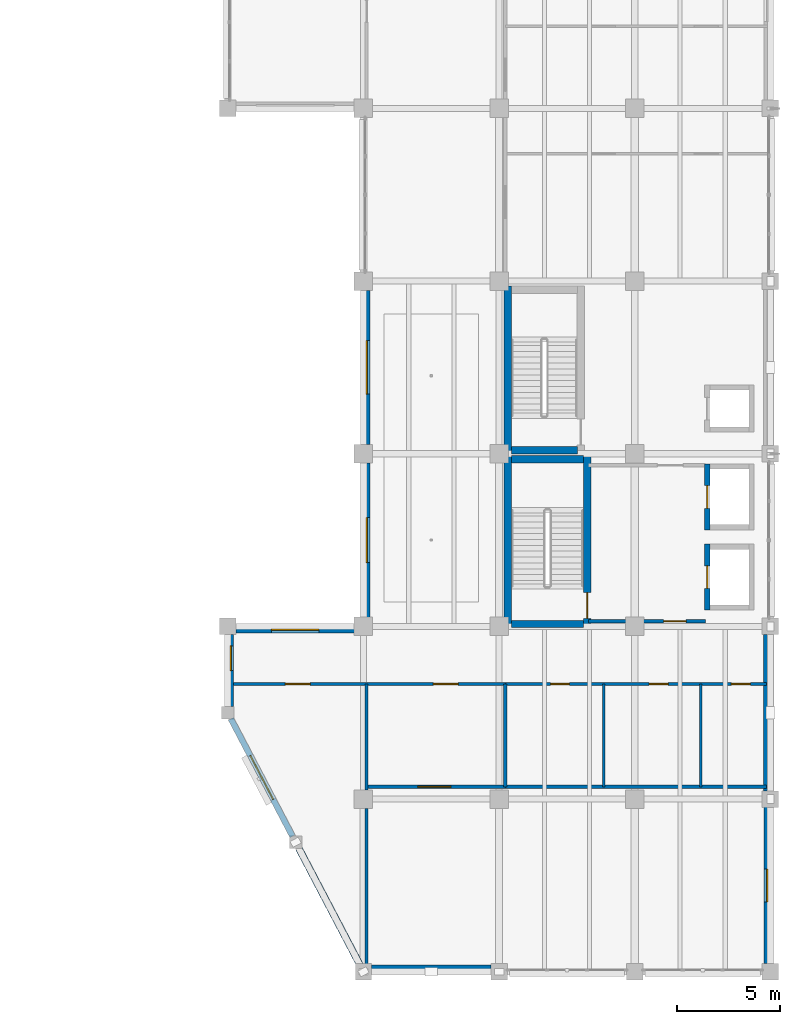
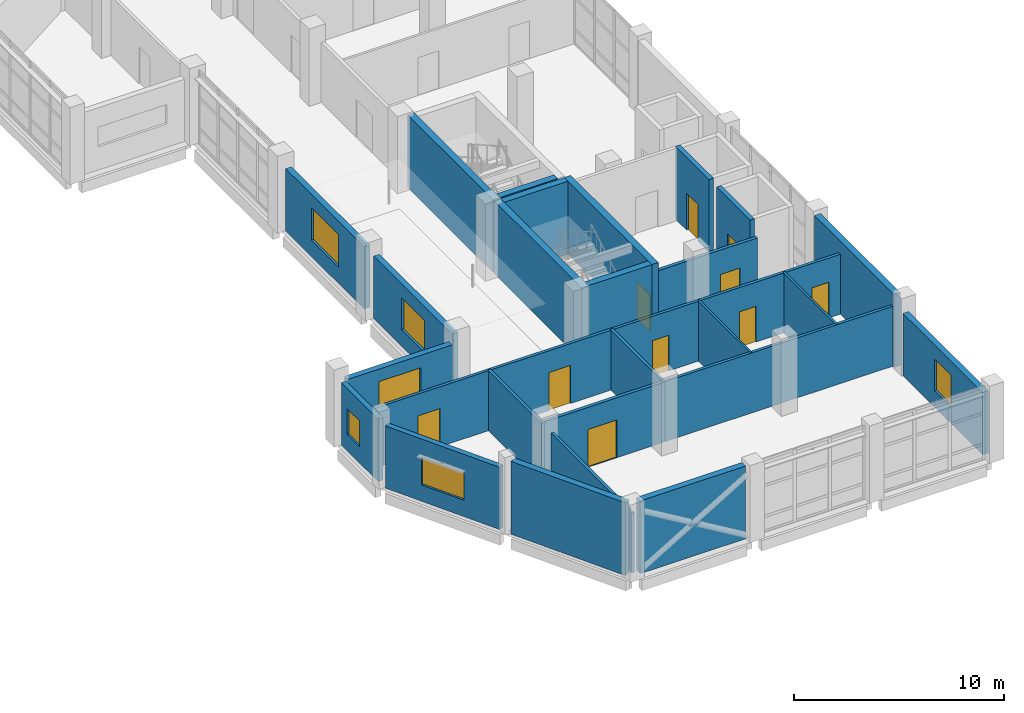
# One storey, part 51 of 76: 27 walls, 10 doors, 6 windows, 16 openings.
"""IFC4 building model written with IfcOpenShell, lengths in metres."""

from ifc_helpers import new_model, si_unit, direction, frame, frame_2d, origin, place, context, subcontext, project, spatial, rectangle, extrude, material, layer, layer_set, type_object, element, fill, save


model = new_model("IFC4")

# Units and contexts
model_context = context("Model", 3, precision=1e-05, world=origin(), true_north=direction((0.0, 1.0)))
body_context = subcontext(model_context, "Body", "Model", "MODEL_VIEW")
ifc_project = project(units=[si_unit("LENGTHUNIT", "METRE"), si_unit("AREAUNIT", "SQUARE_METRE"), si_unit("VOLUMEUNIT", "CUBIC_METRE"), si_unit("PLANEANGLEUNIT", "RADIAN"), si_unit("MASSUNIT", "GRAM", prefix="KILO")], contexts=[model_context])

# Site, building, storey
site_placement = place(None, origin())
site = spatial("IfcSite", under=ifc_project, at=site_placement, CompositionType="ELEMENT")
building_placement = place(site_placement, origin())
building = spatial("IfcBuilding", under=site, at=building_placement, Name="Qaldarim Faculty of Natural and Applied Sciences", CompositionType="ELEMENT")
storey_placement = place(building_placement, frame((0.0, 0.0, 9.89990234375)))
storey = spatial("IfcBuildingStorey", under=building, at=storey_placement, Name="L02", CompositionType="ELEMENT", Elevation=9.89990234375)

# Walls
ifc_material_1 = material(Name="Painted gypsum partition board")
ifc_layer_1 = layer(ifc_material_1, 0.1201171875)
ifc_layer_set_1 = layer_set([ifc_layer_1], Name="Painted gypsum partition board")
wall_type_1 = type_object("IfcWallType", Name="AcousticPartition-120", PredefinedType="PARTITIONING", material=ifc_layer_set_1)
for number, where, z_axis, x_axis, name in (
    (1, (170.10009765625, 9.0, 0.0), (0.0, 0.0, 1.0), (0.0, 1.0, 0.0), "Interior partition PRT-L02-V5-WCD1"),
    (2, (174.800048828125, 9.0, 0.0), (0.0, 0.0, 1.0), (0.0, 1.0, 0.0), "Interior partition PRT-L02-V5-WCD2"),
):
    element("IfcWall", number, at=place(storey_placement, frame(where, z_axis=z_axis, x_axis=x_axis)), inside=storey, type_object=wall_type_1, Name=name, PredefinedType="PARTITIONING", context=body_context, shape_type="SweptSolid", body=[
        extrude(rectangle(XDim=5.0, YDim=0.1201171875, at=frame_2d((2.5, 0.0))), origin(), (0.0, 0.0, 1.0), 3.489990234375),
    ])
ifc_material_2 = material(Name="Concrete C50/60", Category="concrete")
ifc_layer_2 = layer(ifc_material_2, 0.360107421875)
ifc_layer_set_2 = layer_set([ifc_layer_2], Name="Concrete C50/60")
wall_type_2 = type_object("IfcWallType", Name="CoreShearWall-360", PredefinedType="SHEAR", material=ifc_layer_set_2)
wall_1_placement = place(storey_placement, frame((165.419921875, 16.739990234375, 0.0), z_axis=(0.0, 0.0, 1.0), x_axis=(0.0, 1.0, 0.0)))
element("IfcWall", 3, at=wall_1_placement, inside=storey, type_object=wall_type_2, Name="Core stair ST-A1 west shear wall L02", PredefinedType="SHEAR", context=body_context, shape_type="SweptSolid", body=[
    extrude(rectangle(XDim=8.3701171875, YDim=0.360107421875, at=frame_2d((4.18505859375, 0.0))), origin(), (0.0, 0.0, 1.0), 4.239990234375),
])

# Wall, opening, door
wall_2_placement = place(storey_placement, frame((169.280029296875, 16.739990234375, 0.0), z_axis=(0.0, 0.0, 1.0), x_axis=(0.0, 1.0, 0.0)))
wall_2 = element("IfcWall", 4, at=wall_2_placement, inside=storey, type_object=wall_type_2, Name="Core stair ST-A1 east shear wall L02", PredefinedType="SHEAR", context=body_context, shape_type="SweptSolid", body=[
    extrude(rectangle(XDim=8.3701171875, YDim=0.360107421875, at=frame_2d((4.18505859375, 0.0))), origin(), (0.0, 0.0, 1.0), 4.239990234375),
])
opening_1_placement = place(wall_2_placement, frame((0.449951171875, 0.0, 0.0)))
opening_1 = element("IfcOpeningElement", 5, at=opening_1_placement, cuts=wall_2, Name="Opening ID04", PredefinedType="OPENING", context=body_context, shape_type="SweptSolid", body=[
    extrude(rectangle(XDim=1.25, YDim=2.14990234375, at=frame_2d((0.625, 1.074951171875))), frame((0.0, 0.18994140625, 0.0), z_axis=(0.0, -1.0, 0.0), x_axis=(1.0, 0.0, 0.0)), (0.0, 0.0, 1.0), 0.380126953125),
])
ifc_material_3 = material(Name="Architectural stainless steel 316", Category="steel")
door_type_1 = type_object("IfcDoorType", Name="StairEnclosureFireDoor-1250x2150", OperationType="NOTDEFINED", PredefinedType="DOOR", material=ifc_material_3)
door_1_placement = place(opening_1_placement, origin())
door_1 = element("IfcDoor", 6, at=door_1_placement, inside=storey, type_object=door_type_1, Name="Protected stair ST-A1 fire door D-L02-504", OperationType="SINGLE_SWING_RIGHT", OverallHeight=2.14990234375, OverallWidth=1.25, PredefinedType="DOOR", context=body_context, shape_type="SweptSolid", body=[
    extrude(rectangle(XDim=1.25, YDim=2.14990234375, at=frame_2d((0.625, 1.074951171875))), frame((0.0, 0.02490234375, 0.0), z_axis=(0.0, -1.0, 0.0), x_axis=(1.0, 0.0, 0.0)), (0.0, 0.0, 1.0), 0.050048828125),
])
fill(opening_1, door_1)

# Walls
for number, where, z_axis, x_axis, name in (
    (7, (165.60009765625, 24.929931640625, 0.0), (0.0, 0.0, 1.0), (1.0, 0.0, 0.0), "Core stair ST-A1 north shear wall L02"),
    (8, (165.60009765625, 16.919921875, 0.0), (0.0, 0.0, 1.0), (1.0, 0.0, 0.0), "Core stair ST-A1 south shear wall L02"),
):
    element("IfcWall", number, at=place(storey_placement, frame(where, z_axis=z_axis, x_axis=x_axis)), inside=storey, type_object=wall_type_2, Name=name, PredefinedType="SHEAR", context=body_context, shape_type="SweptSolid", body=[
        extrude(rectangle(XDim=3.5, YDim=0.360107421875, at=frame_2d((1.75, 0.0))), origin(), (0.0, 0.0, 1.0), 4.239990234375),
    ])
wall_3_placement = place(storey_placement, frame((165.419921875, 25.18994140625, 0.0), z_axis=(0.0, 0.0, 1.0), x_axis=(0.0, 1.0, 0.0)))
element("IfcWall", 9, at=wall_3_placement, inside=storey, type_object=wall_type_2, Name="Core stair ST-A2 west shear wall L02", PredefinedType="SHEAR", context=body_context, shape_type="SweptSolid", body=[
    extrude(rectangle(XDim=8.170166015625, YDim=0.360107421875, at=frame_2d((4.0849609375, 0.0))), origin(), (0.0, 0.0, 1.0), 4.239990234375),
])
wall_4_placement = place(storey_placement, frame((165.60009765625, 25.3701171875, 0.0), z_axis=(0.0, 0.0, 1.0), x_axis=(1.0, 0.0, 0.0)))
element("IfcWall", 10, at=wall_4_placement, inside=storey, type_object=wall_type_2, Name="Core stair ST-A2 south shear wall L02", PredefinedType="SHEAR", context=body_context, shape_type="SweptSolid", body=[
    extrude(rectangle(XDim=3.199951171875, YDim=0.360107421875, at=frame_2d((1.60009765625, 0.0))), origin(), (0.0, 0.0, 1.0), 4.239990234375),
])

# Wall, opening, window
ifc_material_4 = material(Name="Precast concrete C40/50", Category="concrete")
ifc_layer_3 = layer(ifc_material_4, 0.320068359375)
ifc_layer_set_3 = layer_set([ifc_layer_3], Name="Precast concrete C40/50")
wall_type_3 = type_object("IfcWallType", Name="ExteriorLimestoneWall-320", PredefinedType="SOLIDWALL", material=ifc_layer_set_3)
wall_5_placement = place(storey_placement, frame((157.955078125, 16.639892578125, 0.0), z_axis=(0.0, 0.0, 1.0), x_axis=(-1.0, 0.0, 0.0)))
wall_5 = element("IfcWall", 11, at=wall_5_placement, inside=storey, type_object=wall_type_3, Name="Exterior wall EW01 L02 N X24Y02", PredefinedType="SOLIDWALL", context=body_context, shape_type="SweptSolid", body=[
    extrude(rectangle(XDim=5.760009765625, YDim=0.320068359375, at=frame_2d((2.8798828125, 0.0))), origin(), (0.0, 0.0, 1.0), 3.625),
])
opening_2_placement = place(wall_5_placement, frame((1.72998046875, 0.0, 0.949951171875)))
opening_2 = element("IfcOpeningElement", 12, at=opening_2_placement, cuts=wall_5, Name="Opening WN28", PredefinedType="OPENING", context=body_context, shape_type="SweptSolid", body=[
    extrude(rectangle(XDim=2.300048828125, YDim=1.949951171875, at=frame_2d((1.14990234375, 0.97509765625))), frame((0.0, 0.169921875, 0.0), z_axis=(0.0, -1.0, 0.0), x_axis=(1.0, 0.0, 0.0)), (0.0, 0.0, 1.0), 0.340087890625),
])
ifc_material_5 = material(Name="Insulated low-e double glazing", Category="glass")
window_type_1 = type_object("IfcWindowType", Name="GalleryWindow-2300x1950", PartitioningType="TRIPLE_PANEL_VERTICAL", PredefinedType="WINDOW", material=ifc_material_5)
window_1_placement = place(opening_2_placement, origin())
window_1 = element("IfcWindow", 13, at=window_1_placement, inside=storey, type_object=window_type_1, Name="Facade window WN28 L02 N X24Y02", OverallHeight=1.949951171875, OverallWidth=2.300048828125, PartitioningType="SINGLE_PANEL", PredefinedType="WINDOW", context=body_context, shape_type="SweptSolid", body=[
    extrude(rectangle(XDim=2.300048828125, YDim=1.949951171875, at=frame_2d((1.14990234375, 0.97509765625))), frame((0.0, 0.030029296875, 0.0), z_axis=(0.0, -1.0, 0.0), x_axis=(1.0, 0.0, 0.0)), (0.0, 0.0, 1.0), 0.06005859375),
])
fill(opening_2, window_1)

wall_6_placement = place(storey_placement, frame((158.56005859375, 24.7548828125, 0.0), z_axis=(0.0, 0.0, 1.0), x_axis=(0.0, -1.0, 0.0)))
wall_6 = element("IfcWall", 14, at=wall_6_placement, inside=storey, type_object=wall_type_3, Name="Exterior wall EW01 L02 W X25Y03", PredefinedType="SOLIDWALL", context=body_context, shape_type="SweptSolid", body=[
    extrude(rectangle(XDim=7.509765625, YDim=0.320068359375, at=frame_2d((3.7548828125, 0.0))), origin(), (0.0, 0.0, 1.0), 3.625),
])
opening_3_placement = place(wall_6_placement, frame((2.655029296875, 0.0, 0.949951171875)))
opening_3 = element("IfcOpeningElement", 15, at=opening_3_placement, cuts=wall_6, Name="Opening WN21", PredefinedType="OPENING", context=body_context, shape_type="SweptSolid", body=[
    extrude(rectangle(XDim=2.199951171875, YDim=1.85009765625, at=frame_2d((1.10009765625, 0.925048828125))), frame((0.0, 0.169921875, 0.0), z_axis=(0.0, -1.0, 0.0), x_axis=(1.0, 0.0, 0.0)), (0.0, 0.0, 1.0), 0.340087890625),
])
window_type_2 = type_object("IfcWindowType", Name="StudyWindow-2200x1850", PartitioningType="TRIPLE_PANEL_VERTICAL", PredefinedType="WINDOW", material=ifc_material_5)
window_2_placement = place(opening_3_placement, origin())
window_2 = element("IfcWindow", 16, at=window_2_placement, inside=storey, type_object=window_type_2, Name="Facade window WN21 L02 W X25Y03", OverallHeight=1.85009765625, OverallWidth=2.199951171875, PartitioningType="SINGLE_PANEL", PredefinedType="WINDOW", context=body_context, shape_type="SweptSolid", body=[
    extrude(rectangle(XDim=2.199951171875, YDim=1.85009765625, at=frame_2d((1.10009765625, 0.925048828125))), frame((0.0, 0.030029296875, 0.0), z_axis=(0.0, -1.0, 0.0), x_axis=(1.0, 0.0, 0.0)), (0.0, 0.0, 1.0), 0.06005859375),
])
fill(opening_3, window_2)

wall_7_placement = place(storey_placement, frame((158.56005859375, 33.155029296875, 0.0), z_axis=(0.0, 0.0, 1.0), x_axis=(0.0, -1.0, 0.0)))
wall_7 = element("IfcWall", 17, at=wall_7_placement, inside=storey, type_object=wall_type_3, Name="Exterior wall EW01 L02 W X25Y04", PredefinedType="SOLIDWALL", context=body_context, shape_type="SweptSolid", body=[
    extrude(rectangle(XDim=7.510009765625, YDim=0.320068359375, at=frame_2d((3.7548828125, 0.0))), origin(), (0.0, 0.0, 1.0), 3.625),
])
opening_4_placement = place(wall_7_placement, frame((2.455078125, 0.0, 0.949951171875)))
opening_4 = element("IfcOpeningElement", 18, at=opening_4_placement, cuts=wall_7, Name="Opening WN22", PredefinedType="OPENING", context=body_context, shape_type="SweptSolid", body=[
    extrude(rectangle(XDim=2.60009765625, YDim=1.89990234375, at=frame_2d((1.300048828125, 0.949951171875))), frame((0.0, 0.169921875, 0.0), z_axis=(0.0, -1.0, 0.0), x_axis=(1.0, 0.0, 0.0)), (0.0, 0.0, 1.0), 0.340087890625),
])
window_type_3 = type_object("IfcWindowType", Name="StudyWindow-2600x1900", PartitioningType="TRIPLE_PANEL_VERTICAL", PredefinedType="WINDOW", material=ifc_material_5)
window_3_placement = place(opening_4_placement, origin())
window_3 = element("IfcWindow", 19, at=window_3_placement, inside=storey, type_object=window_type_3, Name="Facade window WN22 L02 W X25Y04", OverallHeight=1.89990234375, OverallWidth=2.60009765625, PartitioningType="SINGLE_PANEL", PredefinedType="WINDOW", context=body_context, shape_type="SweptSolid", body=[
    extrude(rectangle(XDim=2.60009765625, YDim=1.89990234375, at=frame_2d((1.300048828125, 0.949951171875))), frame((0.0, 0.030029296875, 0.0), z_axis=(0.0, -1.0, 0.0), x_axis=(1.0, 0.0, 0.0)), (0.0, 0.0, 1.0), 0.06005859375),
])
fill(opening_4, window_3)

wall_8_placement = place(storey_placement, frame((178.0400390625, 0.39501953125, 0.0), z_axis=(0.0, 0.0, 1.0), x_axis=(0.0, 1.0, 0.0)))
wall_8 = element("IfcWall", 20, at=wall_8_placement, inside=storey, type_object=wall_type_3, Name="Exterior wall EW01 L02 E X27Y01", PredefinedType="SOLIDWALL", context=body_context, shape_type="SweptSolid", body=[
    extrude(rectangle(XDim=7.60986328125, YDim=0.320068359375, at=frame_2d((3.804931640625, 0.0))), origin(), (0.0, 0.0, 1.0), 3.625),
])
opening_5_placement = place(wall_8_placement, frame((3.0048828125, 0.0, 0.949951171875)))
opening_5 = element("IfcOpeningElement", 21, at=opening_5_placement, cuts=wall_8, Name="Opening WN19", PredefinedType="OPENING", context=body_context, shape_type="SweptSolid", body=[
    extrude(rectangle(XDim=1.60009765625, YDim=1.85009765625, at=frame_2d((0.800048828125, 0.925048828125))), frame((0.0, 0.169921875, 0.0), z_axis=(0.0, -1.0, 0.0), x_axis=(1.0, 0.0, 0.0)), (0.0, 0.0, 1.0), 0.340087890625),
])
window_type_4 = type_object("IfcWindowType", Name="StudyWindow-1600x1850", PartitioningType="DOUBLE_PANEL_VERTICAL", PredefinedType="WINDOW", material=ifc_material_5)
window_4_placement = place(opening_5_placement, origin())
window_4 = element("IfcWindow", 22, at=window_4_placement, inside=storey, type_object=window_type_4, Name="Facade window WN19 L02 E X27Y01", OverallHeight=1.85009765625, OverallWidth=1.60009765625, PartitioningType="SINGLE_PANEL", PredefinedType="WINDOW", context=body_context, shape_type="SweptSolid", body=[
    extrude(rectangle(XDim=1.60009765625, YDim=1.85009765625, at=frame_2d((0.800048828125, 0.925048828125))), frame((0.0, 0.030029296875, 0.0), z_axis=(0.0, -1.0, 0.0), x_axis=(1.0, 0.0, 0.0)), (0.0, 0.0, 1.0), 0.06005859375),
])
fill(opening_5, window_4)

ifc_layer_4 = layer(ifc_material_4, 0.280029296875)
ifc_layer_set_4 = layer_set([ifc_layer_4], Name="Precast concrete C40/50")
wall_type_4 = type_object("IfcWallType", Name="ExteriorSpandrelWall-280", PredefinedType="SOLIDWALL", material=ifc_layer_set_4)
wall_9_placement = place(storey_placement, frame((151.93994140625, 16.405029296875, 0.0), z_axis=(0.0, 0.0, 1.0), x_axis=(0.0, -1.0, 0.0)))
wall_9 = element("IfcWall", 23, at=wall_9_placement, inside=storey, type_object=wall_type_4, Name="Oblique SW chamfer return facade wall L02", PredefinedType="SOLIDWALL", context=body_context, shape_type="SweptSolid", body=[
    extrude(rectangle(XDim=3.510009765625, YDim=0.280029296875, at=frame_2d((1.7548828125, 0.0))), origin(), (0.0, 0.0, 1.0), 3.625),
])
opening_6_placement = place(wall_9_placement, frame((0.550048828125, 0.0, 0.949951171875)))
opening_6 = element("IfcOpeningElement", 24, at=opening_6_placement, cuts=wall_9, Name="Opening WN01", PredefinedType="OPENING", context=body_context, shape_type="SweptSolid", body=[
    extrude(rectangle(XDim=1.199951171875, YDim=1.5, at=frame_2d((0.60009765625, 0.75))), frame((0.0, 0.14990234375, 0.0), z_axis=(0.0, -1.0, 0.0), x_axis=(1.0, 0.0, 0.0)), (0.0, 0.0, 1.0), 0.300048828125),
])
window_type_5 = type_object("IfcWindowType", Name="Window-1200x1500", PartitioningType="SINGLE_PANEL", PredefinedType="WINDOW", material=ifc_material_5)
window_5_placement = place(opening_6_placement, origin())
window_5 = element("IfcWindow", 25, at=window_5_placement, inside=storey, type_object=window_type_5, Name="Oblique SW return window L02", OverallHeight=1.5, OverallWidth=1.199951171875, PartitioningType="SINGLE_PANEL", PredefinedType="WINDOW", context=body_context, shape_type="SweptSolid", body=[
    extrude(rectangle(XDim=1.199951171875, YDim=1.5, at=frame_2d((0.60009765625, 0.75))), frame((0.0, 0.030029296875, 0.0), z_axis=(0.0, -1.0, 0.0), x_axis=(1.0, 0.0, 0.0)), (0.0, 0.0, 1.0), 0.06005859375),
])
fill(opening_6, window_5)

wall_10_placement = place(storey_placement, frame((151.949951171875, 12.31005859375, 0.0), z_axis=(0.0, 0.0, 1.0), x_axis=(0.464471613901, -0.885588007981, 0.0)))
wall_10 = element("IfcWall", 26, at=wall_10_placement, inside=storey, type_object=wall_type_4, Name="Oblique SW chamfer fenestrated wall L02 1", PredefinedType="SOLIDWALL", context=body_context, shape_type="SweptSolid", body=[
    extrude(rectangle(XDim=6.458984375, YDim=0.280029296875, at=frame_2d((3.2294921875, 0.0))), origin(), (0.0, 0.0, 1.0), 3.625),
])
opening_7_placement = place(wall_10_placement, frame((2.030029296875, 0.0, 0.949951171875)))
opening_7 = element("IfcOpeningElement", 27, at=opening_7_placement, cuts=wall_10, Name="Opening WN03", PredefinedType="OPENING", context=body_context, shape_type="SweptSolid", body=[
    extrude(rectangle(XDim=2.39990234375, YDim=1.60009765625, at=frame_2d((1.199951171875, 0.800048828125))), frame((0.0, 0.14990234375, 0.0), z_axis=(0.0, -1.0, 0.0), x_axis=(1.0, 0.0, 0.0)), (0.0, 0.0, 1.0), 0.300048828125),
])
window_type_6 = type_object("IfcWindowType", Name="Window-2400x1600", PartitioningType="TRIPLE_PANEL_VERTICAL", PredefinedType="WINDOW", material=ifc_material_5)
window_6_placement = place(opening_7_placement, origin())
window_6 = element("IfcWindow", 28, at=window_6_placement, inside=storey, type_object=window_type_6, Name="Oblique SW chamfer window L02 1", OverallHeight=1.60009765625, OverallWidth=2.39990234375, PartitioningType="SINGLE_PANEL", PredefinedType="WINDOW", context=body_context, shape_type="SweptSolid", body=[
    extrude(rectangle(XDim=2.39990234375, YDim=1.60009765625, at=frame_2d((1.199951171875, 0.800048828125))), frame((0.0, 0.030029296875, 0.0), z_axis=(0.0, -1.0, 0.0), x_axis=(1.0, 0.0, 0.0)), (0.0, 0.0, 1.0), 0.06005859375),
])
fill(opening_7, window_6)

# Walls
ifc_layer_5 = layer(ifc_material_2, 0.340087890625)
ifc_layer_set_5 = layer_set([ifc_layer_5], Name="Concrete C50/60")
wall_type_5 = type_object("IfcWallType", Name="ExteriorStairShearWall-340", PredefinedType="SHEAR", material=ifc_layer_set_5)
wall_11_placement = place(storey_placement, frame((158.794921875, 0.169921875, 0.0), z_axis=(0.0, 0.0, 1.0), x_axis=(1.0, 0.0, 0.0)))
element("IfcWall", 29, at=wall_11_placement, inside=storey, type_object=wall_type_5, Name="Exterior wall EW05 L02 S X25Y01", PredefinedType="SHEAR", context=body_context, shape_type="SweptSolid", body=[
    extrude(rectangle(XDim=5.81005859375, YDim=0.340087890625, at=frame_2d((2.905029296875, 0.0))), origin(), (0.0, 0.0, 1.0), 4.239990234375),
])
wall_12_placement = place(storey_placement, frame((178.030029296875, 8.794921875, 0.0), z_axis=(0.0, 0.0, 1.0), x_axis=(0.0, 1.0, 0.0)))
element("IfcWall", 30, at=wall_12_placement, inside=storey, type_object=wall_type_5, Name="Exterior wall EW05 L02 E X27Y02", PredefinedType="SHEAR", context=body_context, shape_type="SweptSolid", body=[
    extrude(rectangle(XDim=7.610107421875, YDim=0.340087890625, at=frame_2d((3.80517578125, 0.0))), origin(), (0.0, 0.0, 1.0), 4.239990234375),
])
wall_13_placement = place(storey_placement, frame((155.25, 6.010009765625, 0.0), z_axis=(0.0, 0.0, 1.0), x_axis=(0.464471613901, -0.885588007981, 0.0)))
element("IfcWall", 31, at=wall_13_placement, inside=storey, type_object=wall_type_5, Name="Oblique SW chamfer braced wall L02 2", PredefinedType="SHEAR", context=body_context, shape_type="SweptSolid", body=[
    extrude(rectangle(XDim=6.458984375, YDim=0.340087890625, at=frame_2d((3.2294921875, 0.0))), origin(), (0.0, 0.0, 1.0), 4.239990234375),
])

# Wall, openings, doors
ifc_material_6 = material(Name="Concrete C40/50", Category="concrete")
ifc_layer_6 = layer(ifc_material_6, 0.159912109375)
ifc_layer_set_6 = layer_set([ifc_layer_6], Name="Concrete C40/50")
wall_type_6 = type_object("IfcWallType", Name="FireCorridorWall-160", PredefinedType="PARTITIONING", material=ifc_layer_set_6)
wall_14_placement = place(storey_placement, frame((165.300048828125, 14.0, 0.0), z_axis=(0.0, 0.0, 1.0), x_axis=(1.0, 0.0, 0.0)))
wall_14 = element("IfcWall", 32, at=wall_14_placement, inside=storey, type_object=wall_type_6, Name="Interior partition PRT-L02-V5-WCN", PredefinedType="PARTITIONING", context=body_context, shape_type="SweptSolid", body=[
    extrude(rectangle(XDim=12.699951171875, YDim=0.159912109375, at=frame_2d((6.35009765625, 0.0))), origin(), (0.0, 0.0, 1.0), 3.489990234375),
])
opening_8_placement = place(wall_14_placement, frame((2.199951171875, 0.0, 0.0)))
opening_8 = element("IfcOpeningElement", 33, at=opening_8_placement, cuts=wall_14, Name="Opening ID14", PredefinedType="OPENING", context=body_context, shape_type="SweptSolid", body=[
    extrude(rectangle(XDim=0.919921875, YDim=2.080078125, at=frame_2d((0.4599609375, 1.0400390625))), frame((0.0, 0.08984375, 0.0), z_axis=(0.0, -1.0, 0.0), x_axis=(1.0, 0.0, 0.0)), (0.0, 0.0, 1.0), 0.179931640625),
])
opening_9_placement = place(wall_14_placement, frame((7.0, 0.0, 0.0)))
opening_9 = element("IfcOpeningElement", 34, at=opening_9_placement, cuts=wall_14, Name="Opening ID14", PredefinedType="OPENING", context=body_context, shape_type="SweptSolid", body=[
    extrude(rectangle(XDim=0.919921875, YDim=2.080078125, at=frame_2d((0.4599609375, 1.0400390625))), frame((0.0, 0.08984375, 0.0), z_axis=(0.0, -1.0, 0.0), x_axis=(1.0, 0.0, 0.0)), (0.0, 0.0, 1.0), 0.179931640625),
])
opening_10_placement = place(wall_14_placement, frame((11.0, 0.0, 0.0)))
opening_10 = element("IfcOpeningElement", 35, at=opening_10_placement, cuts=wall_14, Name="Opening ID14", PredefinedType="OPENING", context=body_context, shape_type="SweptSolid", body=[
    extrude(rectangle(XDim=0.919921875, YDim=2.080078125, at=frame_2d((0.4599609375, 1.0400390625))), frame((0.0, 0.08984375, 0.0), z_axis=(0.0, -1.0, 0.0), x_axis=(1.0, 0.0, 0.0)), (0.0, 0.0, 1.0), 0.179931640625),
])
ifc_material_7 = material(Name="Oak hardwood", Category="wood")
door_type_2 = type_object("IfcDoorType", Name="WashroomDoor-920x2080", OperationType="NOTDEFINED", PredefinedType="DOOR", material=ifc_material_7)
door_2_placement = place(opening_8_placement, origin())
door_2 = element("IfcDoor", 36, at=door_2_placement, inside=storey, type_object=door_type_2, Name="Interior door D-L02-110", OperationType="SINGLE_SWING_LEFT", OverallHeight=2.080078125, OverallWidth=0.919921875, PredefinedType="DOOR", context=body_context, shape_type="SweptSolid", body=[
    extrude(rectangle(XDim=0.919921875, YDim=2.080078125, at=frame_2d((0.4599609375, 1.0400390625))), frame((0.0, 0.02490234375, 0.0), z_axis=(0.0, -1.0, 0.0), x_axis=(1.0, 0.0, 0.0)), (0.0, 0.0, 1.0), 0.050048828125),
])
fill(opening_8, door_2)
door_3_placement = place(opening_9_placement, origin())
door_3 = element("IfcDoor", 37, at=door_3_placement, inside=storey, type_object=door_type_2, Name="Interior door D-L02-111", OperationType="SINGLE_SWING_RIGHT", OverallHeight=2.080078125, OverallWidth=0.919921875, PredefinedType="DOOR", context=body_context, shape_type="SweptSolid", body=[
    extrude(rectangle(XDim=0.919921875, YDim=2.080078125, at=frame_2d((0.4599609375, 1.0400390625))), frame((0.0, 0.02490234375, 0.0), z_axis=(0.0, -1.0, 0.0), x_axis=(1.0, 0.0, 0.0)), (0.0, 0.0, 1.0), 0.050048828125),
])
fill(opening_9, door_3)
door_4_placement = place(opening_10_placement, origin())
door_4 = element("IfcDoor", 38, at=door_4_placement, inside=storey, type_object=door_type_2, Name="Interior door D-L02-112", OperationType="SINGLE_SWING_LEFT", OverallHeight=2.080078125, OverallWidth=0.919921875, PredefinedType="DOOR", context=body_context, shape_type="SweptSolid", body=[
    extrude(rectangle(XDim=0.919921875, YDim=2.080078125, at=frame_2d((0.4599609375, 1.0400390625))), frame((0.0, 0.02490234375, 0.0), z_axis=(0.0, -1.0, 0.0), x_axis=(1.0, 0.0, 0.0)), (0.0, 0.0, 1.0), 0.050048828125),
])
fill(opening_10, door_4)

# Walls
wall_15_placement = place(storey_placement, frame((165.300048828125, 9.0, 0.0), z_axis=(0.0, 0.0, 1.0), x_axis=(1.0, 0.0, 0.0)))
element("IfcWall", 39, at=wall_15_placement, inside=storey, type_object=wall_type_6, Name="Interior partition PRT-L02-V5-WCS", PredefinedType="PARTITIONING", context=body_context, shape_type="SweptSolid", body=[
    extrude(rectangle(XDim=12.699951171875, YDim=0.159912109375, at=frame_2d((6.35009765625, 0.0))), origin(), (0.0, 0.0, 1.0), 3.489990234375),
])
wall_16_placement = place(storey_placement, frame((165.300048828125, 9.0, 0.0), z_axis=(0.0, 0.0, 1.0), x_axis=(0.0, 1.0, 0.0)))
element("IfcWall", 40, at=wall_16_placement, inside=storey, type_object=wall_type_6, Name="Interior partition PRT-L02-V5-WCW", PredefinedType="PARTITIONING", context=body_context, shape_type="SweptSolid", body=[
    extrude(rectangle(XDim=5.0, YDim=0.159912109375, at=frame_2d((2.5, 0.0))), origin(), (0.0, 0.0, 1.0), 3.489990234375),
])
wall_17_placement = place(storey_placement, frame((158.550048828125, 0.25, 0.0), z_axis=(0.0, 0.0, 1.0), x_axis=(0.0, 1.0, 0.0)))
element("IfcWall", 41, at=wall_17_placement, inside=storey, type_object=wall_type_6, Name="Interior partition PRT-L02-V5-SWSE-S1", PredefinedType="PARTITIONING", context=body_context, shape_type="SweptSolid", body=[
    extrude(rectangle(XDim=7.699951171875, YDim=0.159912109375, at=frame_2d((3.85009765625, 0.0))), origin(), (0.0, 0.0, 1.0), 3.489990234375),
])
wall_18_placement = place(storey_placement, frame((158.550048828125, 8.85009765625, 0.0), z_axis=(0.0, 0.0, 1.0), x_axis=(0.0, 1.0, 0.0)))
element("IfcWall", 42, at=wall_18_placement, inside=storey, type_object=wall_type_6, Name="Interior partition PRT-L02-V5-SWSE-S2", PredefinedType="PARTITIONING", context=body_context, shape_type="SweptSolid", body=[
    extrude(rectangle(XDim=5.14990234375, YDim=0.159912109375, at=frame_2d((2.574951171875, 0.0))), origin(), (0.0, 0.0, 1.0), 3.489990234375),
])

# Wall, openings, doors
wall_19_placement = place(storey_placement, frame((152.0, 14.0, 0.0), z_axis=(0.0, 0.0, 1.0), x_axis=(1.0, 0.0, 0.0)))
wall_19 = element("IfcWall", 43, at=wall_19_placement, inside=storey, type_object=wall_type_6, Name="Interior partition PRT-L02-V5-MIDN", PredefinedType="PARTITIONING", context=body_context, shape_type="SweptSolid", body=[
    extrude(rectangle(XDim=13.300048828125, YDim=0.159912109375, at=frame_2d((6.64990234375, 0.0))), origin(), (0.0, 0.0, 1.0), 3.489990234375),
])
opening_11_placement = place(wall_19_placement, frame((2.60009765625, 0.0, 0.0)))
opening_11 = element("IfcOpeningElement", 44, at=opening_11_placement, cuts=wall_19, Name="Opening ID17", PredefinedType="OPENING", context=body_context, shape_type="SweptSolid", body=[
    extrude(rectangle(XDim=1.199951171875, YDim=2.219970703125, at=frame_2d((0.60009765625, 1.10986328125))), frame((0.0, 0.08984375, 0.0), z_axis=(0.0, -1.0, 0.0), x_axis=(1.0, 0.0, 0.0)), (0.0, 0.0, 1.0), 0.179931640625),
])
opening_12_placement = place(wall_19_placement, frame((9.800048828125, 0.0, 0.0)))
opening_12 = element("IfcOpeningElement", 45, at=opening_12_placement, cuts=wall_19, Name="Opening ID17", PredefinedType="OPENING", context=body_context, shape_type="SweptSolid", body=[
    extrude(rectangle(XDim=1.199951171875, YDim=2.219970703125, at=frame_2d((0.60009765625, 1.10986328125))), frame((0.0, 0.08984375, 0.0), z_axis=(0.0, -1.0, 0.0), x_axis=(1.0, 0.0, 0.0)), (0.0, 0.0, 1.0), 0.179931640625),
])
door_type_3 = type_object("IfcDoorType", Name="InstrumentLabDoor-1200x2220", OperationType="NOTDEFINED", PredefinedType="DOOR", material=ifc_material_3)
door_5_placement = place(opening_11_placement, origin())
door_5 = element("IfcDoor", 46, at=door_5_placement, inside=storey, type_object=door_type_3, Name="Interior door D-L02-409", OperationType="SINGLE_SWING_LEFT", OverallHeight=2.219970703125, OverallWidth=1.199951171875, PredefinedType="DOOR", context=body_context, shape_type="SweptSolid", body=[
    extrude(rectangle(XDim=1.199951171875, YDim=2.219970703125, at=frame_2d((0.60009765625, 1.10986328125))), frame((0.0, 0.02490234375, 0.0), z_axis=(0.0, -1.0, 0.0), x_axis=(1.0, 0.0, 0.0)), (0.0, 0.0, 1.0), 0.050048828125),
])
fill(opening_11, door_5)
door_6_placement = place(opening_12_placement, origin())
door_6 = element("IfcDoor", 47, at=door_6_placement, inside=storey, type_object=door_type_3, Name="Interior door D-L02-410", OperationType="SINGLE_SWING_RIGHT", OverallHeight=2.219970703125, OverallWidth=1.199951171875, PredefinedType="DOOR", context=body_context, shape_type="SweptSolid", body=[
    extrude(rectangle(XDim=1.199951171875, YDim=2.219970703125, at=frame_2d((0.60009765625, 1.10986328125))), frame((0.0, 0.02490234375, 0.0), z_axis=(0.0, -1.0, 0.0), x_axis=(1.0, 0.0, 0.0)), (0.0, 0.0, 1.0), 0.050048828125),
])
fill(opening_12, door_6)

# Wall, opening, door
ifc_layer_7 = layer(ifc_material_6, 0.179931640625)
ifc_layer_set_7 = layer_set([ifc_layer_7], Name="Concrete C40/50")
wall_type_7 = type_object("IfcWallType", Name="LabFireCompartmentWall-180", PredefinedType="SOLIDWALL", material=ifc_layer_set_7)
wall_20_placement = place(storey_placement, frame((158.550048828125, 9.0, 0.0), z_axis=(0.0, 0.0, 1.0), x_axis=(1.0, 0.0, 0.0)))
wall_20 = element("IfcWall", 48, at=wall_20_placement, inside=storey, type_object=wall_type_7, Name="Interior partition PRT-L02-V5-LASN", PredefinedType="SOLIDWALL", context=body_context, shape_type="SweptSolid", body=[
    extrude(rectangle(XDim=6.75, YDim=0.179931640625, at=frame_2d((3.375, 0.0))), origin(), (0.0, 0.0, 1.0), 3.489990234375),
])
opening_13_placement = place(wall_20_placement, frame((2.5, 0.0, 0.0)))
opening_13 = element("IfcOpeningElement", 49, at=opening_13_placement, cuts=wall_20, Name="Opening ID06", PredefinedType="OPENING", context=body_context, shape_type="SweptSolid", body=[
    extrude(rectangle(XDim=1.60009765625, YDim=2.199951171875, at=frame_2d((0.800048828125, 1.10009765625))), frame((0.0, 0.099853515625, 0.0), z_axis=(0.0, -1.0, 0.0), x_axis=(1.0, 0.0, 0.0)), (0.0, 0.0, 1.0), 0.199951171875),
])
door_type_4 = type_object("IfcDoorType", Name="LabEquipmentDoubleDoor-1600x2200", OperationType="NOTDEFINED", PredefinedType="DOOR", material=ifc_material_3)
door_7_placement = place(opening_13_placement, origin())
door_7 = element("IfcDoor", 50, at=door_7_placement, inside=storey, type_object=door_type_4, Name="Interior door D-L02-222", OperationType="DOUBLE_DOOR_SINGLE_SWING", OverallHeight=2.199951171875, OverallWidth=1.60009765625, PredefinedType="DOOR", context=body_context, shape_type="SweptSolid", body=[
    extrude(rectangle(XDim=1.60009765625, YDim=2.199951171875, at=frame_2d((0.800048828125, 1.10009765625))), frame((0.0, 0.02490234375, 0.0), z_axis=(0.0, -1.0, 0.0), x_axis=(1.0, 0.0, 0.0)), (0.0, 0.0, 1.0), 0.050048828125),
])
fill(opening_13, door_7)

wall_21_placement = place(storey_placement, frame((169.35009765625, 17.06005859375, 0.0), z_axis=(0.0, 0.0, 1.0), x_axis=(1.0, 0.0, 0.0)))
wall_21 = element("IfcWall", 51, at=wall_21_placement, inside=storey, type_object=wall_type_7, Name="Fire-fighting lobby south wall Core A L02", PredefinedType="SOLIDWALL", context=body_context, shape_type="SweptSolid", body=[
    extrude(rectangle(XDim=5.699951171875, YDim=0.179931640625, at=frame_2d((2.85009765625, 0.0))), origin(), (0.0, 0.0, 1.0), 3.5751953125),
])
opening_14_placement = place(wall_21_placement, frame((3.64990234375, 0.0, 0.0)))
opening_14 = element("IfcOpeningElement", 52, at=opening_14_placement, cuts=wall_21, Name="Opening ID03", PredefinedType="OPENING", context=body_context, shape_type="SweptSolid", body=[
    extrude(rectangle(XDim=1.10009765625, YDim=2.14990234375, at=frame_2d((0.550048828125, 1.074951171875))), frame((0.0, 0.099853515625, 0.0), z_axis=(0.0, -1.0, 0.0), x_axis=(1.0, 0.0, 0.0)), (0.0, 0.0, 1.0), 0.199951171875),
])
door_type_5 = type_object("IfcDoorType", Name="FireLobbyDoor-1100x2150", OperationType="NOTDEFINED", PredefinedType="DOOR", material=ifc_material_7)
door_8_placement = place(opening_14_placement, origin())
door_8 = element("IfcDoor", 53, at=door_8_placement, inside=storey, type_object=door_type_5, Name="Fire-fighting lobby corridor door Core A D-L02-603", OperationType="SINGLE_SWING_LEFT", OverallHeight=2.14990234375, OverallWidth=1.10009765625, PredefinedType="DOOR", context=body_context, shape_type="SweptSolid", body=[
    extrude(rectangle(XDim=1.10009765625, YDim=2.14990234375, at=frame_2d((0.550048828125, 1.074951171875))), frame((0.0, 0.02490234375, 0.0), z_axis=(0.0, -1.0, 0.0), x_axis=(1.0, 0.0, 0.0)), (0.0, 0.0, 1.0), 0.050048828125),
])
fill(opening_14, door_8)

ifc_layer_8 = layer(ifc_material_6, 0.25)
ifc_layer_set_8 = layer_set([ifc_layer_8], Name="Concrete C40/50")
wall_type_8 = type_object("IfcWallType", Name="LiftShaftWall-250", PredefinedType="SHEAR", material=ifc_layer_set_8)
wall_22_placement = place(storey_placement, frame((175.125, 17.60009765625, 0.0), z_axis=(0.0, 0.0, 1.0), x_axis=(0.0, 1.0, 0.0)))
wall_22 = element("IfcWall", 54, at=wall_22_placement, inside=storey, type_object=wall_type_8, Name="Lift LF-A1 front shaft wall L02", PredefinedType="SHEAR", context=body_context, shape_type="SweptSolid", body=[
    extrude(rectangle(XDim=3.199951171875, YDim=0.25, at=frame_2d((1.60009765625, 0.0))), origin(), (0.0, 0.0, 1.0), 4.239990234375),
])
opening_15_placement = place(wall_22_placement, frame((1.050048828125, 0.0, 0.0)))
opening_15 = element("IfcOpeningElement", 55, at=opening_15_placement, cuts=wall_22, Name="Opening LD01", PredefinedType="OPENING", context=body_context, shape_type="SweptSolid", body=[
    extrude(rectangle(XDim=1.10009765625, YDim=2.14990234375, at=frame_2d((0.550048828125, 1.074951171875))), frame((0.0, 0.135009765625, 0.0), z_axis=(0.0, -1.0, 0.0), x_axis=(1.0, 0.0, 0.0)), (0.0, 0.0, 1.0), 0.27001953125),
])
door_type_6 = type_object("IfcDoorType", Name="LiftLandingSlidingDoor-1100x2150", OperationType="NOTDEFINED", PredefinedType="DOOR", material=ifc_material_3)
door_9_placement = place(opening_15_placement, origin())
door_9 = element("IfcDoor", 56, at=door_9_placement, inside=storey, type_object=door_type_6, Name="Lift landing sliding door LF-A1 D-L02-560", OperationType="SLIDING_TO_LEFT", OverallHeight=2.14990234375, OverallWidth=1.10009765625, PredefinedType="DOOR", context=body_context, shape_type="SweptSolid", body=[
    extrude(rectangle(XDim=1.10009765625, YDim=2.14990234375, at=frame_2d((0.550048828125, 1.074951171875))), frame((0.0, 0.02490234375, 0.0), z_axis=(0.0, -1.0, 0.0), x_axis=(1.0, 0.0, 0.0)), (0.0, 0.0, 1.0), 0.050048828125),
])
fill(opening_15, door_9)

wall_23_placement = place(storey_placement, frame((175.125, 21.5, 0.0), z_axis=(0.0, 0.0, 1.0), x_axis=(0.0, 1.0, 0.0)))
wall_23 = element("IfcWall", 57, at=wall_23_placement, inside=storey, type_object=wall_type_8, Name="Lift LF-A2 front shaft wall L02", PredefinedType="SHEAR", context=body_context, shape_type="SweptSolid", body=[
    extrude(rectangle(XDim=3.199951171875, YDim=0.25, at=frame_2d((1.60009765625, 0.0))), origin(), (0.0, 0.0, 1.0), 4.239990234375),
])
opening_16_placement = place(wall_23_placement, frame((1.050048828125, 0.0, 0.0)))
opening_16 = element("IfcOpeningElement", 58, at=opening_16_placement, cuts=wall_23, Name="Opening LD01", PredefinedType="OPENING", context=body_context, shape_type="SweptSolid", body=[
    extrude(rectangle(XDim=1.10009765625, YDim=2.14990234375, at=frame_2d((0.550048828125, 1.074951171875))), frame((0.0, 0.135009765625, 0.0), z_axis=(0.0, -1.0, 0.0), x_axis=(1.0, 0.0, 0.0)), (0.0, 0.0, 1.0), 0.27001953125),
])
door_10_placement = place(opening_16_placement, origin())
door_10 = element("IfcDoor", 59, at=door_10_placement, inside=storey, type_object=door_type_6, Name="Lift landing sliding door LF-A2 D-L02-573", OperationType="SLIDING_TO_LEFT", OverallHeight=2.14990234375, OverallWidth=1.10009765625, PredefinedType="DOOR", context=body_context, shape_type="SweptSolid", body=[
    extrude(rectangle(XDim=1.10009765625, YDim=2.14990234375, at=frame_2d((0.550048828125, 1.074951171875))), frame((0.0, 0.02490234375, 0.0), z_axis=(0.0, -1.0, 0.0), x_axis=(1.0, 0.0, 0.0)), (0.0, 0.0, 1.0), 0.050048828125),
])
fill(opening_16, door_10)

save(model, "model.ifc")
